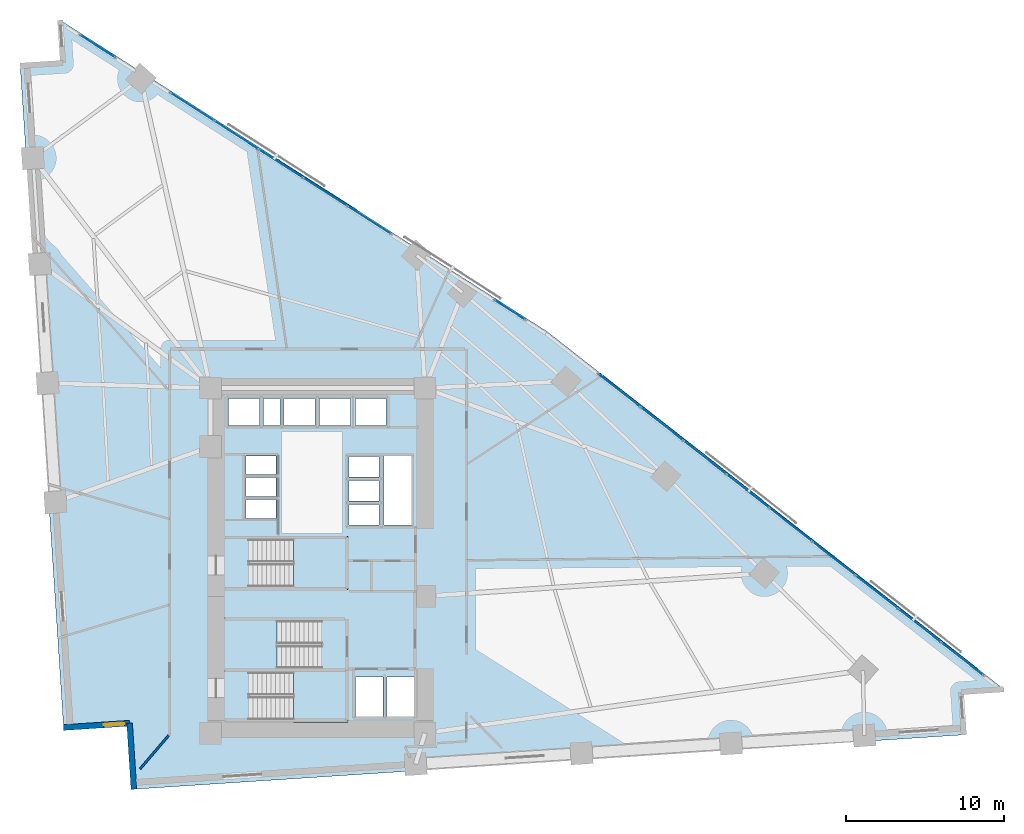
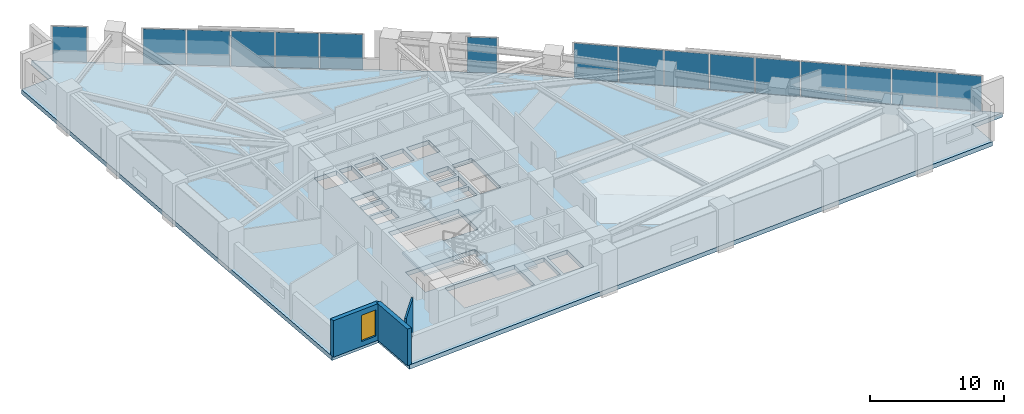
# One storey, part 11 of 17: 18 plates, 4 slabs, 3 walls, 1 window, 1 opening, 7 elements without a shape of their own.
"""IFC4 building model written with IfcOpenShell, lengths in metres."""

from ifc_helpers import new_model, si_unit, direction, frame, frame_2d, origin, origin_2d, place, context, subcontext, project, spatial, polyline, rectangle, outline, extrude, material, layer, layer_set, type_object, element, fill, aggregate, save


model = new_model("IFC4")

# Units and contexts
model_context = context("Model", 3, precision=1e-05, world=origin(), true_north=direction((0.0, 1.0)))
body_context = subcontext(model_context, "Body", "Model", "MODEL_VIEW")
ifc_project = project(units=[si_unit("LENGTHUNIT", "METRE"), si_unit("AREAUNIT", "SQUARE_METRE"), si_unit("VOLUMEUNIT", "CUBIC_METRE"), si_unit("PLANEANGLEUNIT", "RADIAN"), si_unit("MASSUNIT", "GRAM", prefix="KILO")], contexts=[model_context])

# Site, building, storey
site_placement = place(None, origin())
site = spatial("IfcSite", under=ifc_project, at=site_placement, CompositionType="ELEMENT")
building_placement = place(site_placement, origin())
building = spatial("IfcBuilding", under=site, at=building_placement, Name="Narakoshi Arena Tower", CompositionType="ELEMENT")
storey_placement = place(building_placement, frame((0.0, 0.0, 63.300048828125)))
storey = spatial("IfcBuildingStorey", under=building, at=storey_placement, Name="L16", CompositionType="ELEMENT", Elevation=63.300048828125)

# Curtain wall, plates
ifc_material_1 = material(Name="Anodised bronze aluminium 6063-T6", Category="aluminium")
curtain_wall_type = type_object("IfcCurtainWallType", Name="CW-HYP-LOW", PredefinedType="NOTDEFINED", material=ifc_material_1)
curtain_wall_1_placement = place(storey_placement, origin())
curtain_wall_1 = element("IfcCurtainWall", 1, at=curtain_wall_1_placement, inside=storey, type_object=curtain_wall_type, Name="L16 Folded Hypotenuse Curtain Wall 1-1", PredefinedType="NOTDEFINED")
ifc_material_2 = material(Name="Bronze-tinted low-E laminated glass", Category="glass")
ifc_layer_1 = layer(ifc_material_2, 0.031982421875)
ifc_layer_set_1 = layer_set([ifc_layer_1], Name="Bronze-tinted low-E laminated glass")
plate_type_1 = type_object("IfcPlateType", Name="PLT-GLZ-32", PredefinedType="CURTAIN_PANEL", material=ifc_layer_set_1)
plate_1_placement = place(storey_placement, frame((119.491455078125, 39.385986328125, 0.06494140625), z_axis=(0.0, 0.0, 1.0), x_axis=(-0.787387607817, 0.616458234641, 0.0)))
plate_1 = element("IfcPlate", 2, at=plate_1_placement, type_object=plate_type_1, Name="CW-01 panel 1.1", PredefinedType="CURTAIN_PANEL", context=body_context, shape_type="SweptSolid", body=[
    extrude(rectangle(XDim=3.331298828125, YDim=0.031982421875, at=origin_2d()), origin(), (0.0, 0.0, 1.0), 3.2099609375),
])
plate_2_placement = place(storey_placement, frame((116.794677734375, 41.497314453125, 0.06494140625), z_axis=(0.0, 0.0, 1.0), x_axis=(-0.787387607817, 0.616458234641, 0.0)))
plate_2 = element("IfcPlate", 3, at=plate_2_placement, type_object=plate_type_1, Name="CW-01 panel 2.1", PredefinedType="CURTAIN_PANEL", context=body_context, shape_type="SweptSolid", body=[
    extrude(rectangle(XDim=3.36865234375, YDim=0.031982421875, at=origin_2d()), origin(), (0.0, 0.0, 1.0), 3.2099609375),
])
plate_3_placement = place(storey_placement, frame((114.083251953125, 43.620361328125, 0.06494140625), z_axis=(0.0, 0.0, 1.0), x_axis=(-0.787387607817, 0.616458234641, 0.0)))
plate_3 = element("IfcPlate", 4, at=plate_3_placement, type_object=plate_type_1, Name="CW-01 panel 3.1", PredefinedType="CURTAIN_PANEL", context=body_context, shape_type="SweptSolid", body=[
    extrude(rectangle(XDim=3.36865234375, YDim=0.031982421875, at=origin_2d()), origin(), (0.0, 0.0, 1.0), 3.2099609375),
])
plate_4_placement = place(storey_placement, frame((111.37158203125, 45.7431640625, 0.06494140625), z_axis=(0.0, 0.0, 1.0), x_axis=(-0.787387607817, 0.616458234641, 0.0)))
plate_4 = element("IfcPlate", 5, at=plate_4_placement, type_object=plate_type_1, Name="CW-01 panel 4.1", PredefinedType="CURTAIN_PANEL", context=body_context, shape_type="SweptSolid", body=[
    extrude(rectangle(XDim=3.36865234375, YDim=0.031982421875, at=origin_2d()), origin(), (0.0, 0.0, 1.0), 3.2099609375),
])
plate_5_placement = place(storey_placement, frame((108.66015625, 47.8662109375, 0.06494140625), z_axis=(0.0, 0.0, 1.0), x_axis=(-0.787387607817, 0.616458234641, 0.0)))
plate_5 = element("IfcPlate", 6, at=plate_5_placement, type_object=plate_type_1, Name="CW-01 panel 5.1", PredefinedType="CURTAIN_PANEL", context=body_context, shape_type="SweptSolid", body=[
    extrude(rectangle(XDim=3.36865234375, YDim=0.031982421875, at=origin_2d()), origin(), (0.0, 0.0, 1.0), 3.2099609375),
])
plate_6_placement = place(storey_placement, frame((105.948486328125, 49.989013671875, 0.06494140625), z_axis=(0.0, 0.0, 1.0), x_axis=(-0.787387607817, 0.616458234641, 0.0)))
plate_6 = element("IfcPlate", 7, at=plate_6_placement, type_object=plate_type_1, Name="CW-01 panel 6.1", PredefinedType="CURTAIN_PANEL", context=body_context, shape_type="SweptSolid", body=[
    extrude(rectangle(XDim=3.36865234375, YDim=0.031982421875, at=origin_2d()), origin(), (0.0, 0.0, 1.0), 3.2099609375),
])
plate_7_placement = place(storey_placement, frame((103.237060546875, 52.11181640625, 0.06494140625), z_axis=(0.0, 0.0, 1.0), x_axis=(-0.787387607817, 0.616458234641, 0.0)))
plate_7 = element("IfcPlate", 8, at=plate_7_placement, type_object=plate_type_1, Name="CW-01 panel 7.1", PredefinedType="CURTAIN_PANEL", context=body_context, shape_type="SweptSolid", body=[
    extrude(rectangle(XDim=3.36865234375, YDim=0.031982421875, at=origin_2d()), origin(), (0.0, 0.0, 1.0), 3.2099609375),
])
plate_8_placement = place(storey_placement, frame((100.525634765625, 54.23486328125, 0.06494140625), z_axis=(0.0, 0.0, 1.0), x_axis=(-0.787387607817, 0.616458234641, 0.0)))
plate_8 = element("IfcPlate", 9, at=plate_8_placement, type_object=plate_type_1, Name="CW-01 panel 8.1", PredefinedType="CURTAIN_PANEL", context=body_context, shape_type="SweptSolid", body=[
    extrude(rectangle(XDim=3.36865234375, YDim=0.031982421875, at=origin_2d()), origin(), (0.0, 0.0, 1.0), 3.2099609375),
])
plate_9_placement = place(storey_placement, frame((97.828857421875, 56.34619140625, 0.06494140625), z_axis=(0.0, 0.0, 1.0), x_axis=(-0.787387607817, 0.616458234641, 0.0)))
plate_9 = element("IfcPlate", 10, at=plate_9_placement, type_object=plate_type_1, Name="CW-01 panel 9.1", PredefinedType="CURTAIN_PANEL", context=body_context, shape_type="SweptSolid", body=[
    extrude(rectangle(XDim=3.331298828125, YDim=0.031982421875, at=origin_2d()), origin(), (0.0, 0.0, 1.0), 3.2099609375),
])
aggregate(curtain_wall_1, [plate_1, plate_2, plate_3, plate_4, plate_5, plate_6, plate_7, plate_8, plate_9])

# Curtain wall, plate
curtain_wall_2_placement = place(storey_placement, origin())
curtain_wall_2 = element("IfcCurtainWall", 11, at=curtain_wall_2_placement, inside=storey, type_object=curtain_wall_type, Name="L16 Folded Hypotenuse Curtain Wall 2-1", PredefinedType="NOTDEFINED")
plate_10_placement = place(storey_placement, frame((90.921142578125, 61.4287109375, 0.06494140625), z_axis=(0.0, 0.0, 1.0), x_axis=(-0.842419407448, 0.538822365864, 0.0)))
plate_10 = element("IfcPlate", 12, at=plate_10_placement, type_object=plate_type_1, Name="CW-01 panel 1.1", PredefinedType="CURTAIN_PANEL", context=body_context, shape_type="SweptSolid", body=[
    extrude(rectangle(XDim=2.25439453125, YDim=0.031982421875, at=origin_2d()), origin(), (0.0, 0.0, 1.0), 3.2099609375),
])
aggregate(curtain_wall_2, [plate_10])

# Curtain wall, plates
curtain_wall_3_placement = place(storey_placement, origin())
curtain_wall_3 = element("IfcCurtainWall", 13, at=curtain_wall_3_placement, inside=storey, type_object=curtain_wall_type, Name="L16 Folded Hypotenuse Curtain Wall 2-2", PredefinedType="NOTDEFINED")
plate_11_placement = place(storey_placement, frame((82.033447265625, 67.113525390625, 0.06494140625), z_axis=(0.0, 0.0, 1.0), x_axis=(-0.842415100992, 0.538829098714, 0.0)))
plate_11 = element("IfcPlate", 14, at=plate_11_placement, type_object=plate_type_1, Name="CW-01 panel 1.1", PredefinedType="CURTAIN_PANEL", context=body_context, shape_type="SweptSolid", body=[
    extrude(rectangle(XDim=3.2158203125, YDim=0.031982421875, at=origin_2d()), origin(), (0.0, 0.0, 1.0), 3.2099609375),
])
plate_12_placement = place(storey_placement, frame((79.24560546875, 68.896728515625, 0.06494140625), z_axis=(0.0, 0.0, 1.0), x_axis=(-0.842415100992, 0.538829098714, 0.0)))
plate_12 = element("IfcPlate", 15, at=plate_12_placement, type_object=plate_type_1, Name="CW-01 panel 2.1", PredefinedType="CURTAIN_PANEL", context=body_context, shape_type="SweptSolid", body=[
    extrude(rectangle(XDim=3.253173828125, YDim=0.031982421875, at=origin_2d()), origin(), (0.0, 0.0, 1.0), 3.2099609375),
])
plate_13_placement = place(storey_placement, frame((76.441650390625, 70.690185546875, 0.06494140625), z_axis=(0.0, 0.0, 1.0), x_axis=(-0.842415100992, 0.538829098714, 0.0)))
plate_13 = element("IfcPlate", 16, at=plate_13_placement, type_object=plate_type_1, Name="CW-01 panel 3.1", PredefinedType="CURTAIN_PANEL", context=body_context, shape_type="SweptSolid", body=[
    extrude(rectangle(XDim=3.253173828125, YDim=0.031982421875, at=origin_2d()), origin(), (0.0, 0.0, 1.0), 3.2099609375),
])
plate_14_placement = place(storey_placement, frame((73.637939453125, 72.4833984375, 0.06494140625), z_axis=(0.0, 0.0, 1.0), x_axis=(-0.842415100992, 0.538829098714, 0.0)))
plate_14 = element("IfcPlate", 17, at=plate_14_placement, type_object=plate_type_1, Name="CW-01 panel 4.1", PredefinedType="CURTAIN_PANEL", context=body_context, shape_type="SweptSolid", body=[
    extrude(rectangle(XDim=3.253173828125, YDim=0.031982421875, at=origin_2d()), origin(), (0.0, 0.0, 1.0), 3.2099609375),
])
plate_15_placement = place(storey_placement, frame((70.85009765625, 74.266845703125, 0.06494140625), z_axis=(0.0, 0.0, 1.0), x_axis=(-0.842415100992, 0.538829098714, 0.0)))
plate_15 = element("IfcPlate", 18, at=plate_15_placement, type_object=plate_type_1, Name="CW-01 panel 5.1", PredefinedType="CURTAIN_PANEL", context=body_context, shape_type="SweptSolid", body=[
    extrude(rectangle(XDim=3.2158203125, YDim=0.031982421875, at=origin_2d()), origin(), (0.0, 0.0, 1.0), 3.2099609375),
])
aggregate(curtain_wall_3, [plate_11, plate_12, plate_13, plate_14, plate_15])

# Curtain wall, plate
curtain_wall_4_placement = place(storey_placement, origin())
curtain_wall_4 = element("IfcCurtainWall", 19, at=curtain_wall_4_placement, inside=storey, type_object=curtain_wall_type, Name="L16 Folded Hypotenuse Curtain Wall 2-3", PredefinedType="NOTDEFINED")
plate_16_placement = place(storey_placement, frame((64.867919921875, 78.093017578125, 0.06494140625), z_axis=(0.0, 0.0, 1.0), x_axis=(-0.842407418791, 0.538841109017, 0.0)))
plate_16 = element("IfcPlate", 20, at=plate_16_placement, type_object=plate_type_1, Name="CW-01 panel 1.1", PredefinedType="CURTAIN_PANEL", context=body_context, shape_type="SweptSolid", body=[
    extrude(rectangle(XDim=2.60009765625, YDim=0.031982421875, at=origin_2d()), origin(), (0.0, 0.0, 1.0), 3.2099609375),
])
aggregate(curtain_wall_4, [plate_16])

# Plates
ifc_layer_2 = layer(ifc_material_1, 0.090087890625)
ifc_layer_set_2 = layer_set([ifc_layer_2], Name="Anodised bronze aluminium 6063-T6")
plate_type_2 = type_object("IfcPlateType", Name="PLT-SPD-90", PredefinedType="SHEET", material=ifc_layer_set_2)
plate_17_placement = place(storey_placement, frame((108.5322265625, 48.06787109375, -0.369873046875), z_axis=(0.0, 0.0, 1.0), x_axis=(-0.787387121413, 0.616458855912, 0.0)))
element("IfcPlate", 21, at=plate_17_placement, inside=storey, type_object=plate_type_2, Name="L16 Transfer Fascia Bronze Spandrel Panel 1", PredefinedType="SHEET", context=body_context, shape_type="SweptSolid", body=[
    extrude(rectangle(XDim=30.243408203125, YDim=0.090087890625, at=origin_2d()), origin(), (0.0, 0.0, 1.0), 0.3798828125),
])
plate_18_placement = place(storey_placement, frame((78.736328125, 69.3173828125, -0.369873046875), z_axis=(0.0, 0.0, 1.0), x_axis=(-0.842414781658, 0.538829597966, 0.0)))
element("IfcPlate", 22, at=plate_18_placement, inside=storey, type_object=plate_type_2, Name="L16 Transfer Fascia Bronze Spandrel Panel 2", PredefinedType="SHEET", context=body_context, shape_type="SweptSolid", body=[
    extrude(rectangle(XDim=5.99755859375, YDim=0.090087890625, at=origin_2d()), origin(), (0.0, 0.0, 1.0), 0.3798828125),
])

# Slab
ifc_material_3 = material(Name="Concrete C45/55", Category="concrete")
ifc_layer_3 = layer(ifc_material_3, 0.39990234375)
ifc_layer_set_3 = layer_set([ifc_layer_3], Name="Concrete C45/55")
slab_type_1 = type_object("IfcSlabType", Name="SLB-CONC-400", PredefinedType="FLOOR", material=ifc_layer_set_3)
slab_1_placement = place(storey_placement, frame((0.0, 0.0, -0.400146484375)))
element("IfcSlab", 23, at=slab_1_placement, inside=storey, type_object=slab_type_1, Name="L16 Structural Floor Slab", PredefinedType="FLOOR", context=body_context, shape_type="SweptSolid", body=[
    extrude(outline(polyline([(67.160888671875, 31.15869140625), (119.58447265625, 34.594482421875), (119.40673828125, 37.30517578125), (122.1171875, 37.48291015625), (93.26220703125, 60.07373046875), (62.5107421875, 79.743408203125), (62.688232421875, 77.03271484375), (59.977783203125, 76.85498046875), (62.717529296875, 35.055419921875), (66.887451171875, 35.32861328125), (67.160888671875, 31.15869140625)]), holes=[polyline([(74.47998046875, 35.550048828125), (74.47998046875, 38.550048828125), (80.5, 38.550048828125), (80.5, 35.550048828125), (74.47998046875, 35.550048828125)]), polyline([(81.14990234375, 35.75), (81.14990234375, 38.25), (82.89990234375, 38.25), (82.89990234375, 35.75), (81.14990234375, 35.75)]), polyline([(83.14990234375, 35.75), (83.14990234375, 38.25), (84.89990234375, 38.25), (84.89990234375, 35.75), (83.14990234375, 35.75)]), polyline([(72.949951171875, 38.800048828125), (72.949951171875, 41.800048828125), (78.969970703125, 41.800048828125), (78.969970703125, 38.800048828125), (72.949951171875, 38.800048828125)]), polyline([(74.47998046875, 43.949951171875), (74.47998046875, 46.949951171875), (80.5, 46.949951171875), (80.5, 43.949951171875), (74.47998046875, 43.949951171875)]), polyline([(82.949951171875, 47.840087890625), (82.949951171875, 52.199951171875), (84.699951171875, 52.199951171875), (84.699951171875, 47.840087890625), (82.949951171875, 47.840087890625)]), polyline([(80.75, 47.85009765625), (80.75, 49.14990234375), (82.64990234375, 49.14990234375), (82.64990234375, 47.85009765625), (80.75, 47.85009765625)]), polyline([(74.25, 48.25), (74.25, 49.449951171875), (76.14990234375, 49.449951171875), (76.14990234375, 48.25), (74.25, 48.25)]), polyline([(80.75, 49.3701171875), (80.75, 50.669921875), (82.64990234375, 50.669921875), (82.64990234375, 49.3701171875), (80.75, 49.3701171875)]), polyline([(74.25, 49.64990234375), (74.25, 50.85009765625), (76.14990234375, 50.85009765625), (76.14990234375, 49.64990234375), (74.25, 49.64990234375)]), polyline([(80.75, 50.889892578125), (80.75, 52.18994140625), (82.64990234375, 52.18994140625), (82.64990234375, 50.889892578125), (80.75, 50.889892578125)]), polyline([(74.25, 51.050048828125), (74.25, 52.2099609375), (76.14990234375, 52.2099609375), (76.14990234375, 51.050048828125), (74.25, 51.050048828125)]), polyline([(73.14990234375, 54.14990234375), (73.14990234375, 55.85009765625), (75.10009765625, 55.85009765625), (75.10009765625, 54.14990234375), (73.14990234375, 54.14990234375)]), polyline([(75.35009765625, 54.14990234375), (75.35009765625, 55.85009765625), (76.39990234375, 55.85009765625), (76.39990234375, 54.14990234375), (75.35009765625, 54.14990234375)]), polyline([(76.64990234375, 54.14990234375), (76.64990234375, 55.85009765625), (78.60009765625, 55.85009765625), (78.60009765625, 54.14990234375), (76.64990234375, 54.14990234375)]), polyline([(78.89990234375, 55.85009765625), (80.85009765625, 55.85009765625), (80.85009765625, 54.14990234375), (78.89990234375, 54.14990234375), (78.89990234375, 55.85009765625)]), polyline([(81.14990234375, 55.85009765625), (83.10009765625, 55.85009765625), (83.10009765625, 54.14990234375), (81.14990234375, 54.14990234375), (81.14990234375, 55.85009765625)])]), origin(), (0.0, 0.0, 1.0), 0.400146484375),
])

# Stair, slab
stair_type = type_object("IfcStairType", Name="STR-CORE-360", PredefinedType="TWO_STRAIGHT_RUN_STAIR", material=ifc_material_3)
stair_1_placement = place(storey_placement, origin())
stair_1 = element("IfcStair", 24, at=stair_1_placement, inside=storey, type_object=stair_type, Name="L16 Core Escape Stair ST1", PredefinedType="TWO_STRAIGHT_RUN_STAIR")
ifc_layer_4 = layer(ifc_material_3, 0.18994140625)
ifc_layer_set_4 = layer_set([ifc_layer_4], Name="Concrete C45/55")
slab_type_2 = type_object("IfcSlabType", Name="SLB-LND-190", PredefinedType="LANDING", material=ifc_layer_set_4)
slab_2_placement = place(storey_placement, frame((0.0, 0.0, 1.60986328125)))
slab_2 = element("IfcSlab", 25, at=slab_2_placement, type_object=slab_type_2, Name="ST1 landing 1", PredefinedType="LANDING", context=body_context, shape_type="SweptSolid", body=[
    extrude(outline(polyline([(77.25, 35.3701171875), (80.679931640625, 35.3701171875), (80.679931640625, 38.72998046875), (77.25, 38.72998046875), (77.25, 35.3701171875)])), origin(), (0.0, 0.0, 1.0), 0.190185546875),
])
aggregate(stair_1, [slab_2])

stair_2_placement = place(storey_placement, origin())
stair_2 = element("IfcStair", 26, at=stair_2_placement, inside=storey, type_object=stair_type, Name="L16 Core Escape Stair ST2", PredefinedType="TWO_STRAIGHT_RUN_STAIR")
slab_3_placement = place(storey_placement, frame((0.0, 0.0, 1.60986328125)))
slab_3 = element("IfcSlab", 27, at=slab_3_placement, type_object=slab_type_2, Name="ST2 landing 1", PredefinedType="LANDING", context=body_context, shape_type="SweptSolid", body=[
    extrude(outline(polyline([(72.77001953125, 38.6201171875), (76.199951171875, 38.6201171875), (76.199951171875, 41.97998046875), (72.77001953125, 41.97998046875), (72.77001953125, 38.6201171875)])), origin(), (0.0, 0.0, 1.0), 0.190185546875),
])
aggregate(stair_2, [slab_3])

stair_3_placement = place(storey_placement, origin())
stair_3 = element("IfcStair", 28, at=stair_3_placement, inside=storey, type_object=stair_type, Name="L16 Core Escape Stair ST3", PredefinedType="TWO_STRAIGHT_RUN_STAIR")
slab_4_placement = place(storey_placement, frame((0.0, 0.0, 1.60986328125)))
slab_4 = element("IfcSlab", 29, at=slab_4_placement, type_object=slab_type_2, Name="ST3 landing 1", PredefinedType="LANDING", context=body_context, shape_type="SweptSolid", body=[
    extrude(outline(polyline([(77.25, 43.77001953125), (80.679931640625, 43.77001953125), (80.679931640625, 47.1298828125), (77.25, 47.1298828125), (77.25, 43.77001953125)])), origin(), (0.0, 0.0, 1.0), 0.190185546875),
])
aggregate(stair_3, [slab_4])

# Wall, opening, window
ifc_material_4 = material(Name="Precast concrete C45/55", Category="concrete")
ifc_layer_5 = layer(ifc_material_4, 0.419921875)
ifc_layer_set_5 = layer_set([ifc_layer_5], Name="Precast concrete C45/55")
wall_type_1 = type_object("IfcWallType", Name="WL-POD-420", PredefinedType="SOLIDWALL", material=ifc_layer_set_5)
wall_1_placement = place(storey_placement, frame((62.717529296875, 35.055419921875, 0.0), z_axis=(0.0, 0.0, 1.0), x_axis=(0.997860761953, 0.065375069826, 0.0)))
wall_1 = element("IfcWall", 30, at=wall_1_placement, inside=storey, type_object=wall_type_1, Name="L16 Re-Entrant Corner Notch Wall NTA-1", PredefinedType="SOLIDWALL", context=body_context, shape_type="SweptSolid", body=[
    extrude(rectangle(XDim=4.178955078125, YDim=0.360107421875, at=frame_2d((2.08935546875, 0.0))), origin(), (0.0, 0.0, 1.0), 3.33984375),
])
opening_placement = place(wall_1_placement, frame((2.5390625, 0.0, 0.449951171875)))
opening = element("IfcOpeningElement", 31, at=opening_placement, cuts=wall_1, Name="Opening WN-06", PredefinedType="OPENING", context=body_context, shape_type="SweptSolid", body=[
    extrude(rectangle(XDim=1.300048828125, YDim=2.39990234375, at=frame_2d((0.64990234375, 1.199951171875))), frame((0.0, 0.18994140625, 0.0), z_axis=(0.0, -1.0, 0.0), x_axis=(1.0, 0.0, 0.0)), (0.0, 0.0, 1.0), 0.380126953125),
])
window_type = type_object("IfcWindowType", Name="WIN-NTC-16x24", PartitioningType="SINGLE_PANEL", PredefinedType="WINDOW", material=ifc_material_2)
window_placement = place(opening_placement, origin())
window = element("IfcWindow", 32, at=window_placement, inside=storey, type_object=window_type, Name="L16 Corner Notch Window NTA", OverallHeight=2.39990234375, OverallWidth=1.300048828125, PartitioningType="SINGLE_PANEL", PredefinedType="WINDOW", context=body_context, shape_type="SweptSolid", body=[
    extrude(rectangle(XDim=1.300048828125, YDim=2.39990234375, at=frame_2d((0.64990234375, 1.199951171875))), frame((0.0, 0.030029296875, 0.0), z_axis=(0.0, -1.0, 0.0), x_axis=(1.0, 0.0, 0.0)), (0.0, 0.0, 1.0), 0.06005859375),
])
fill(opening, window)

# Walls
wall_2_placement = place(storey_placement, frame((66.887451171875, 35.32861328125, 0.0), z_axis=(0.0, 0.0, 1.0), x_axis=(0.065433242561, -0.99785694905, 0.0)))
element("IfcWall", 33, at=wall_2_placement, inside=storey, type_object=wall_type_1, Name="L16 Re-Entrant Corner Notch Wall NTA-2", PredefinedType="SOLIDWALL", context=body_context, shape_type="SweptSolid", body=[
    extrude(rectangle(XDim=4.178955078125, YDim=0.360107421875, at=frame_2d((2.08935546875, 0.0))), origin(), (0.0, 0.0, 1.0), 3.33984375),
])
ifc_material_5 = material(Name="Moisture-resistant cement-board partition")
ifc_layer_6 = layer(ifc_material_5, 0.14501953125)
ifc_layer_set_6 = layer_set([ifc_layer_6], Name="Moisture-resistant cement-board partition")
wall_type_2 = type_object("IfcWallType", Name="WL-WET-145", PredefinedType="PARTITIONING", material=ifc_layer_set_6)
wall_3_placement = place(storey_placement, frame((69.367431640625, 34.569091796875, 0.0), z_axis=(0.0, 0.0, 1.0), x_axis=(-0.649261144393, -0.760565556926, 0.0)))
element("IfcWall", 34, at=wall_3_placement, inside=storey, type_object=wall_type_2, Name="L16 Room Enclosure Partition 02-1", PredefinedType="PARTITIONING", context=body_context, shape_type="SweptSolid", body=[
    extrude(rectangle(XDim=2.787841796875, YDim=0.14501953125, at=frame_2d((1.39404296875, 0.0))), origin(), (0.0, 0.0, 1.0), 3.33984375),
])

save(model, "model.ifc")
